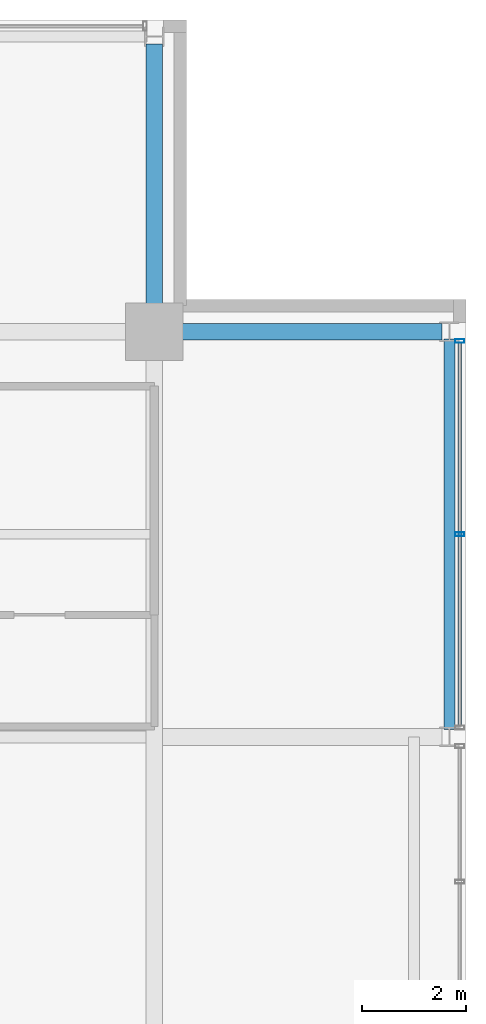
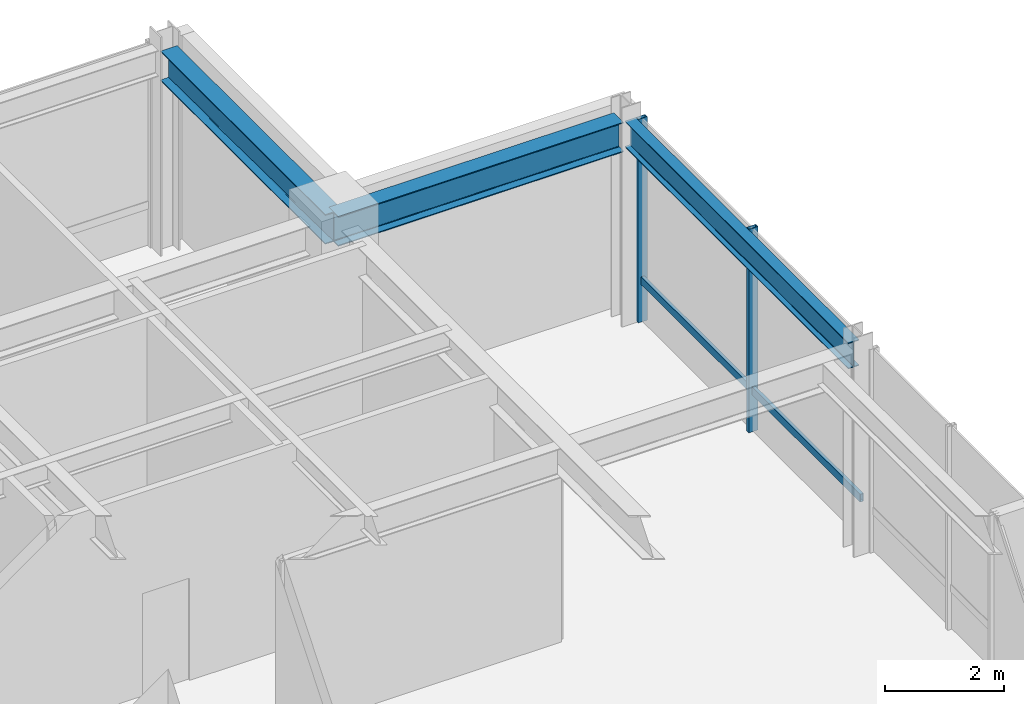
# One storey, part 24 of 32: 3 beams, 3 members, 1 element without a shape of its own.
"""IFC4 building model written with IfcOpenShell, lengths in metres."""

from ifc_helpers import new_model, si_unit, direction, frame, origin, origin_2d, place, context, subcontext, project, spatial, hollow_rectangle, i_section, extrude, material, layer, layer_set, material_profile, profile_set, type_object, element, aggregate, save


model = new_model("IFC4")

# Units and contexts
model_context = context("Model", 3, precision=1e-05, world=origin(), true_north=direction((0.0, 1.0)))
body_context = subcontext(model_context, "Body", "Model", "MODEL_VIEW")
ifc_project = project(units=[si_unit("LENGTHUNIT", "METRE"), si_unit("AREAUNIT", "SQUARE_METRE"), si_unit("VOLUMEUNIT", "CUBIC_METRE"), si_unit("PLANEANGLEUNIT", "RADIAN"), si_unit("MASSUNIT", "GRAM", prefix="KILO")], contexts=[model_context])

# Site, building, storey
site_placement = place(None, origin())
site = spatial("IfcSite", under=ifc_project, at=site_placement, CompositionType="ELEMENT")
building_placement = place(site_placement, origin())
building = spatial("IfcBuilding", under=site, at=building_placement, Name="Drelvath Grand Hotel", CompositionType="ELEMENT")
storey_placement = place(building_placement, frame((0.0, 0.0, 255.5)))
storey = spatial("IfcBuildingStorey", under=building, at=storey_placement, Name="L67", CompositionType="ELEMENT", Elevation=255.5)

# Curtain wall, members
ifc_material_1 = material(Name="Platinum-Mist Anodised Aluminium Frame", Category="aluminium")
ifc_layer = layer(ifc_material_1, 0.199951171875)
ifc_layer_set = layer_set([ifc_layer], Name="Platinum-Mist Anodised Aluminium Frame")
curtain_wall_type = type_object("IfcCurtainWallType", Name="Stick Curtain Wall CW-05 Platinum Mist High-Rise", PredefinedType="NOTDEFINED", material=ifc_layer_set)
curtain_wall_placement = place(storey_placement, origin())
curtain_wall = element("IfcCurtainWall", 1, at=curtain_wall_placement, inside=storey, type_object=curtain_wall_type, Name="L67 CW-05 Curtain Wall CW05-L67-EN2", PredefinedType="NOTDEFINED")
ifc_material_profile_1 = material_profile(ifc_material_1, hollow_rectangle(XDim=0.06494140625, YDim=0.159912109375, WallThickness=0.00390625, at=origin_2d()), Name="HSS160X65X4")
ifc_profile_set_1 = profile_set([ifc_material_profile_1], Name="Platinum-Mist Anodised Aluminium Frame")
member_type_1 = type_object("IfcMemberType", Name="Curtain Wall Horizontal Transom CW-05 HSS160X65X4", PredefinedType="USERDEFINED", material=ifc_profile_set_1)
member_1_placement = place(storey_placement, frame((22.080078125, 42.981689453125, 0.85009765625), z_axis=(0.0, -1.0, 0.0), x_axis=(1.0, 0.0, 0.0)))
member_1 = element("IfcMember", 2, at=member_1_placement, type_object=member_type_1, Name="CW05-L67-EN2 Sill Transom", ObjectType="TRANSOM", PredefinedType="USERDEFINED", context=body_context, shape_type="SweptSolid", body=[
    extrude(hollow_rectangle(XDim=0.06494140625, YDim=0.159912109375, WallThickness=0.00390625, at=origin_2d()), origin(), (0.0, 0.0, 1.0), 7.363525390625),
])
ifc_material_profile_2 = material_profile(ifc_material_1, hollow_rectangle(XDim=0.074951171875, YDim=0.179931640625, WallThickness=0.0048828125, at=origin_2d()), Name="HSS180X75X5")
ifc_profile_set_2 = profile_set([ifc_material_profile_2], Name="Platinum-Mist Anodised Aluminium Frame")
member_type_2 = type_object("IfcMemberType", Name="Curtain Wall Vertical Mullion CW-05 HSS180X75X5", PredefinedType="MULLION", material=ifc_profile_set_2)
member_2_placement = place(storey_placement, frame((22.080078125, 43.021728515625, 0.0), z_axis=(0.0, 0.0, 1.0), x_axis=(0.0, 1.0, 0.0)))
member_2 = element("IfcMember", 3, at=member_2_placement, type_object=member_type_2, Name="CW05-L67-EN2 Mullion 1", PredefinedType="MULLION", context=body_context, shape_type="SweptSolid", body=[
    extrude(hollow_rectangle(XDim=0.074951171875, YDim=0.179931640625, WallThickness=0.0048828125, at=origin_2d()), origin(), (0.0, 0.0, 1.0), 4.179931640625),
])
member_3_placement = place(storey_placement, frame((22.080078125, 39.300048828125, 0.0), z_axis=(0.0, 0.0, 1.0), x_axis=(0.0, 1.0, 0.0)))
member_3 = element("IfcMember", 4, at=member_3_placement, type_object=member_type_2, Name="CW05-L67-EN2 Mullion 2", PredefinedType="MULLION", context=body_context, shape_type="SweptSolid", body=[
    extrude(hollow_rectangle(XDim=0.074951171875, YDim=0.179931640625, WallThickness=0.0048828125, at=origin_2d()), origin(), (0.0, 0.0, 1.0), 4.179931640625),
])
aggregate(curtain_wall, [member_2, member_3, member_1])

# Beams
ifc_material_2 = material(Name="Steel ASTM A992 Gr 50", Category="steel")
ifc_material_profile_3 = material_profile(ifc_material_2, i_section(OverallWidth=0.210205078125, OverallDepth=0.53662109375, WebThickness=0.010986328125, FlangeThickness=0.017333984375, FilletRadius=0.01806640625, at=origin_2d()), Name="W21X68")
ifc_profile_set_3 = profile_set([ifc_material_profile_3], Name="Steel ASTM A992 Gr 50")
beam_type_1 = type_object("IfcBeamType", Name="Perimeter Spandrel Beam W21X68", PredefinedType="SPANDREL", material=ifc_profile_set_3)
beam_placement = place(storey_placement, frame((21.8798828125, 35.5400390625, 3.91162109375), z_axis=(0.0, 1.0, 0.0), x_axis=(-1.0, 0.0, 0.0)))
element("IfcBeam", 5, at=beam_placement, inside=storey, type_object=beam_type_1, Name="L67 Spandrel East N", PredefinedType="SPANDREL", context=body_context, shape_type="SweptSolid", body=[
    extrude(i_section(OverallWidth=0.210205078125, OverallDepth=0.53662109375, WebThickness=0.010986328125, FlangeThickness=0.017333984375, FilletRadius=0.01806640625, at=origin_2d()), origin(), (0.0, 0.0, 1.0), 7.52001953125),
])
ifc_material_profile_4 = material_profile(ifc_material_2, i_section(OverallWidth=0.323974609375, OverallDepth=0.611083984375, WebThickness=0.0126953125, FlangeThickness=0.01904296875, FilletRadius=0.02197265625, at=origin_2d()), Name="W24X104")
ifc_profile_set_4 = profile_set([ifc_material_profile_4], Name="Steel ASTM A992 Gr 50")
beam_type_2 = type_object("IfcBeamType", Name="Primary Floor Girder W24X104", PredefinedType="BEAM", material=ifc_profile_set_4)
for number, where, z_axis, x_axis, name in (
    (6, (16.199951171875, 43.199951171875, 3.87451171875), (1.0, 0.0, 0.0), (0.0, 1.0, 0.0), "L67 East Grid Girder G"),
    (7, (16.199951171875, 43.199951171875, 3.87451171875), (0.0, 1.0, 0.0), (-1.0, 0.0, 0.0), "L67 North Grid Girder 7"),
):
    element("IfcBeam", number, at=place(storey_placement, frame(where, z_axis=z_axis, x_axis=x_axis)), inside=storey, type_object=beam_type_2, Name=name, PredefinedType="BEAM", context=body_context, shape_type="SweptSolid", body=[
        extrude(i_section(OverallWidth=0.323974609375, OverallDepth=0.611083984375, WebThickness=0.0126953125, FlangeThickness=0.01904296875, FilletRadius=0.02197265625, at=origin_2d()), origin(), (0.0, 0.0, 1.0), 5.5400390625),
    ])

save(model, "model.ifc")
